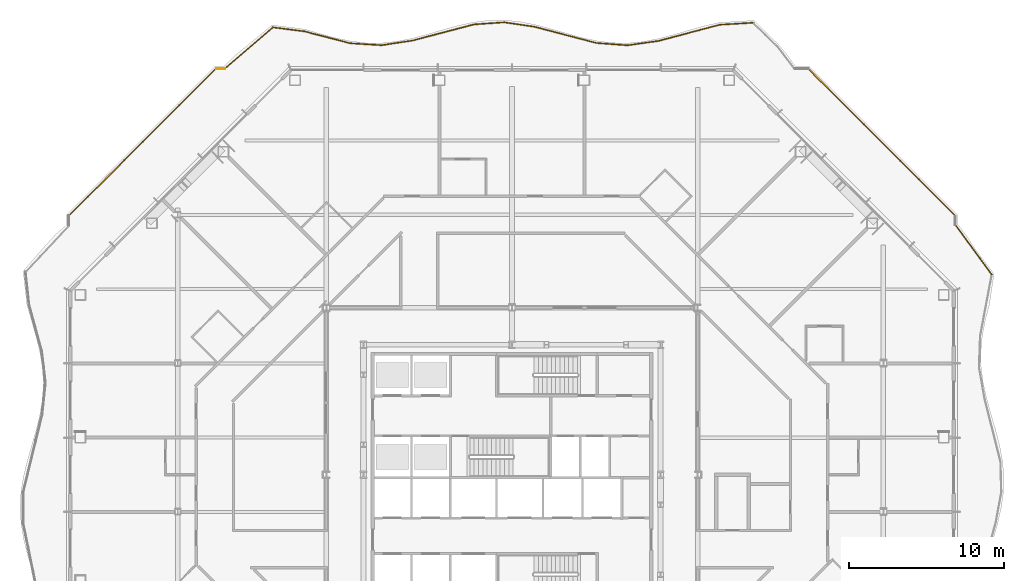
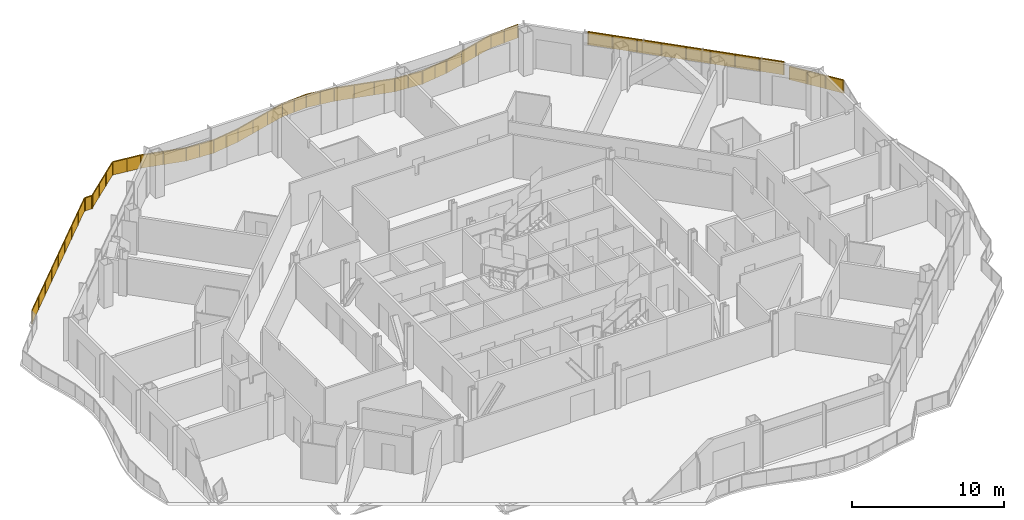
# One storey, part 22 of 24: 6 railings.
"""IFC4 building model written with IfcOpenShell, lengths in metres."""

from ifc_helpers import new_model, si_unit, direction, frame, origin, origin_2d, place, context, subcontext, project, spatial, polyline, rectangle, outline, extrude, material, type_object, element, save


model = new_model("IFC4")

# Units and contexts
model_context = context("Model", 3, precision=1e-05, world=origin(), true_north=direction((0.0, 1.0)))
body_context = subcontext(model_context, "Body", "Model", "MODEL_VIEW")
ifc_project = project(units=[si_unit("LENGTHUNIT", "METRE"), si_unit("AREAUNIT", "SQUARE_METRE"), si_unit("VOLUMEUNIT", "CUBIC_METRE"), si_unit("PLANEANGLEUNIT", "RADIAN"), si_unit("MASSUNIT", "GRAM", prefix="KILO")], contexts=[model_context])

# Site, building, storey
site_placement = place(None, origin())
site = spatial("IfcSite", under=ifc_project, at=site_placement, CompositionType="ELEMENT")
building_placement = place(site_placement, origin())
building = spatial("IfcBuilding", under=site, at=building_placement, Name="Cairn Pilgrim Tower", CompositionType="ELEMENT")
storey_placement = place(building_placement, frame((0.0, 0.0, 125.39990234375)))
storey = spatial("IfcBuildingStorey", under=building, at=storey_placement, Name="L30", CompositionType="ELEMENT", Elevation=125.39990234375)

# Railings
ifc_material = material(Name="Bronze anodised aluminium rail and posts with laminated glass infill", Category="aluminium")
railing_type = type_object("IfcRailingType", Name="BALCONY GUARD 1100", PredefinedType="GUARDRAIL", material=ifc_material)
railing_1_placement = place(storey_placement, frame((38.197509765625, 15.34033203125, 0.0)))
element("IfcRailing", 1, at=railing_1_placement, inside=storey, type_object=railing_type, Name="Balcony guard BG-7", PredefinedType="GUARDRAIL", context=body_context, shape_type="SweptSolid", body=[
    extrude(rectangle(XDim=0.050048828125, YDim=0.050048828125, at=origin_2d()), frame((0.0, 0.0, 1.0751953125), z_axis=(-0.590133763896, 0.807305481655, 0.0), x_axis=(-0.807305481655, -0.590133763896, 0.0)), (0.0, 0.0, 1.0), 3.917724609375),
    extrude(rectangle(XDim=0.050048828125, YDim=0.050048828125, at=origin_2d()), origin(), (0.0, 0.0, 1.0), 1.050048828125),
    extrude(rectangle(XDim=0.050048828125, YDim=0.050048828125, at=origin_2d()), frame((-0.770751953125, 1.05419921875, 0.0)), (0.0, 0.0, 1.0), 1.050048828125),
    extrude(rectangle(XDim=0.050048828125, YDim=0.050048828125, at=origin_2d()), frame((-1.541259765625, 2.108642578125, 0.0)), (0.0, 0.0, 1.0), 1.050048828125),
    extrude(rectangle(XDim=0.050048828125, YDim=0.050048828125, at=origin_2d()), frame((-2.31201171875, 3.162841796875, 0.0)), (0.0, 0.0, 1.0), 1.050048828125),
    extrude(outline(polyline([(0.02490234375, 0.0), (1.281005859375, 0.0), (1.281005859375, 1.050048828125), (0.02490234375, 1.050048828125), (0.02490234375, 0.0)])), frame((-0.0048828125, -0.00341796875, 0.0), z_axis=(0.807305481655, 0.590133763896, 0.0), x_axis=(-0.590133763896, 0.807305481655, 0.0)), (0.0, 0.0, 1.0), 0.011962890625),
    extrude(outline(polyline([(0.02490234375, 0.0), (1.281005859375, 0.0), (1.281005859375, 1.050048828125), (0.02490234375, 1.050048828125), (0.02490234375, 0.0)])), frame((-0.775390625, 1.05078125, 0.0), z_axis=(0.807305481655, 0.590133763896, 0.0), x_axis=(-0.590133763896, 0.807305481655, 0.0)), (0.0, 0.0, 1.0), 0.011962890625),
    extrude(outline(polyline([(0.02490234375, 0.0), (1.281005859375, 0.0), (1.281005859375, 1.050048828125), (0.02490234375, 1.050048828125), (0.02490234375, 0.0)])), frame((-1.546142578125, 2.10498046875, 0.0), z_axis=(0.807305481655, 0.590133763896, 0.0), x_axis=(-0.590133763896, 0.807305481655, 0.0)), (0.0, 0.0, 1.0), 0.011962890625),
])
railing_2_placement = place(storey_placement, frame((35.85009765625, 19.137939453125, 0.0)))
element("IfcRailing", 2, at=railing_2_placement, inside=storey, type_object=railing_type, Name="Balcony guard BG-9", PredefinedType="GUARDRAIL", context=body_context, shape_type="SweptSolid", body=[
    extrude(rectangle(XDim=0.050048828125, YDim=0.050048828125, at=origin_2d()), frame((0.0, 0.0, 1.0751953125), z_axis=(-0.707106781187, 0.707106781187, 0.0), x_axis=(-0.707106781187, -0.707106781187, 0.0)), (0.0, 0.0, 1.0), 13.392333984375),
    extrude(rectangle(XDim=0.050048828125, YDim=0.050048828125, at=origin_2d()), origin(), (0.0, 0.0, 1.0), 1.050048828125),
    extrude(rectangle(XDim=0.050048828125, YDim=0.050048828125, at=origin_2d()), frame((-1.18359375, 1.18359375, 0.0)), (0.0, 0.0, 1.0), 1.050048828125),
    extrude(rectangle(XDim=0.050048828125, YDim=0.050048828125, at=origin_2d()), frame((-2.367431640625, 2.367431640625, 0.0)), (0.0, 0.0, 1.0), 1.050048828125),
    extrude(rectangle(XDim=0.050048828125, YDim=0.050048828125, at=origin_2d()), frame((-3.55126953125, 3.55126953125, 0.0)), (0.0, 0.0, 1.0), 1.050048828125),
    extrude(rectangle(XDim=0.050048828125, YDim=0.050048828125, at=origin_2d()), frame((-4.73486328125, 4.73486328125, 0.0)), (0.0, 0.0, 1.0), 1.050048828125),
    extrude(rectangle(XDim=0.050048828125, YDim=0.050048828125, at=origin_2d()), frame((-5.91845703125, 5.91845703125, 0.0)), (0.0, 0.0, 1.0), 1.050048828125),
    extrude(rectangle(XDim=0.050048828125, YDim=0.050048828125, at=origin_2d()), frame((-7.102294921875, 7.102294921875, 0.0)), (0.0, 0.0, 1.0), 1.050048828125),
    extrude(rectangle(XDim=0.050048828125, YDim=0.050048828125, at=origin_2d()), frame((-8.2861328125, 8.2861328125, 0.0)), (0.0, 0.0, 1.0), 1.050048828125),
    extrude(rectangle(XDim=0.050048828125, YDim=0.050048828125, at=origin_2d()), frame((-9.4697265625, 9.4697265625, 0.0)), (0.0, 0.0, 1.0), 1.050048828125),
    extrude(outline(polyline([(0.02490234375, 0.0), (1.64892578125, 0.0), (1.64892578125, 1.050048828125), (0.02490234375, 1.050048828125), (0.02490234375, 0.0)])), frame((-0.004150390625, -0.004150390625, 0.0), z_axis=(0.707106781187, 0.707106781187, 0.0), x_axis=(-0.707106781187, 0.707106781187, 0.0)), (0.0, 0.0, 1.0), 0.011962890625),
    extrude(outline(polyline([(0.02490234375, 0.0), (1.64892578125, 0.0), (1.64892578125, 1.050048828125), (0.02490234375, 1.050048828125), (0.02490234375, 0.0)])), frame((-1.18798828125, 1.179443359375, 0.0), z_axis=(0.707106781187, 0.707106781187, 0.0), x_axis=(-0.707106781187, 0.707106781187, 0.0)), (0.0, 0.0, 1.0), 0.011962890625),
    extrude(outline(polyline([(0.02490234375, 0.0), (1.64892578125, 0.0), (1.64892578125, 1.050048828125), (0.02490234375, 1.050048828125), (0.02490234375, 0.0)])), frame((-2.37158203125, 2.36328125, 0.0), z_axis=(0.707106781187, 0.707106781187, 0.0), x_axis=(-0.707106781187, 0.707106781187, 0.0)), (0.0, 0.0, 1.0), 0.011962890625),
    extrude(outline(polyline([(0.02490234375, 0.0), (1.64892578125, 0.0), (1.64892578125, 1.050048828125), (0.02490234375, 1.050048828125), (0.02490234375, 0.0)])), frame((-3.555419921875, 3.546875, 0.0), z_axis=(0.707106781187, 0.707106781187, 0.0), x_axis=(-0.707106781187, 0.707106781187, 0.0)), (0.0, 0.0, 1.0), 0.011962890625),
    extrude(outline(polyline([(0.02490234375, 0.0), (1.64892578125, 0.0), (1.64892578125, 1.050048828125), (0.02490234375, 1.050048828125), (0.02490234375, 0.0)])), frame((-4.739013671875, 4.730712890625, 0.0), z_axis=(0.707106781187, 0.707106781187, 0.0), x_axis=(-0.707106781187, 0.707106781187, 0.0)), (0.0, 0.0, 1.0), 0.011962890625),
    extrude(outline(polyline([(0.02490234375, 0.0), (1.64892578125, 0.0), (1.64892578125, 1.050048828125), (0.02490234375, 1.050048828125), (0.02490234375, 0.0)])), frame((-5.9228515625, 5.914306640625, 0.0), z_axis=(0.707106781187, 0.707106781187, 0.0), x_axis=(-0.707106781187, 0.707106781187, 0.0)), (0.0, 0.0, 1.0), 0.011962890625),
    extrude(outline(polyline([(0.02490234375, 0.0), (1.64892578125, 0.0), (1.64892578125, 1.050048828125), (0.02490234375, 1.050048828125), (0.02490234375, 0.0)])), frame((-7.1064453125, 7.09814453125, 0.0), z_axis=(0.707106781187, 0.707106781187, 0.0), x_axis=(-0.707106781187, 0.707106781187, 0.0)), (0.0, 0.0, 1.0), 0.011962890625),
    extrude(outline(polyline([(0.02490234375, 0.0), (1.64892578125, 0.0), (1.64892578125, 1.050048828125), (0.02490234375, 1.050048828125), (0.02490234375, 0.0)])), frame((-8.290283203125, 8.28173828125, 0.0), z_axis=(0.707106781187, 0.707106781187, 0.0), x_axis=(-0.707106781187, 0.707106781187, 0.0)), (0.0, 0.0, 1.0), 0.011962890625),
])
railing_3_placement = place(storey_placement, frame((22.772705078125, 31.61572265625, 0.0)))
element("IfcRailing", 3, at=railing_3_placement, inside=storey, type_object=railing_type, Name="Balcony guard BG-12", PredefinedType="GUARDRAIL", context=body_context, shape_type="SweptSolid", body=[
    extrude(rectangle(XDim=0.050048828125, YDim=0.050048828125, at=origin_2d()), frame((0.0, 0.0, 1.0751953125), z_axis=(-0.99817328196, -0.060416050692, 0.0), x_axis=(0.060416050692, -0.99817328196, 0.0)), (0.0, 0.0, 1.0), 2.145751953125),
    extrude(rectangle(XDim=0.050048828125, YDim=0.050048828125, at=origin_2d()), frame((-2.141845703125, -0.129638671875, 1.0751953125), z_axis=(-0.966920951594, -0.255076210902, 0.0), x_axis=(0.255076210902, -0.966920951594, 0.0)), (0.0, 0.0, 1.0), 4.102294921875),
    extrude(rectangle(XDim=0.050048828125, YDim=0.050048828125, at=origin_2d()), frame((-6.1083984375, -1.176025390625, 1.0751953125), z_axis=(-0.990128996634, -0.140159088269, 0.0), x_axis=(0.140159088269, -0.990128996634, 0.0)), (0.0, 0.0, 1.0), 2.031005859375),
    extrude(rectangle(XDim=0.050048828125, YDim=0.050048828125, at=origin_2d()), frame((-8.119384765625, -1.460693359375, 1.0751953125), z_axis=(-0.997184430515, 0.074988075969, 0.0), x_axis=(-0.074988075969, -0.997184430515, 0.0)), (0.0, 0.0, 1.0), 2.021728515625),
    extrude(rectangle(XDim=0.050048828125, YDim=0.050048828125, at=origin_2d()), frame((-10.135498046875, -1.30908203125, 1.0751953125), z_axis=(-0.967094526018, 0.254417329887, 0.0), x_axis=(-0.254417329887, -0.967094526018, 0.0)), (0.0, 0.0, 1.0), 4.11279296875),
    extrude(rectangle(XDim=0.050048828125, YDim=0.050048828125, at=origin_2d()), frame((-14.113037109375, -0.2626953125, 1.0751953125), z_axis=(-0.989390387637, 0.145281316253, 0.0), x_axis=(-0.145281316253, -0.989390387637, 0.0)), (0.0, 0.0, 1.0), 1.98291015625),
    extrude(rectangle(XDim=0.050048828125, YDim=0.050048828125, at=origin_2d()), frame((-16.074951171875, 0.025390625, 1.0751953125), z_axis=(-0.997626495598, -0.068857645041, 0.0), x_axis=(0.068857645041, -0.997626495598, 0.0)), (0.0, 0.0, 1.0), 1.960693359375),
    extrude(rectangle(XDim=0.050048828125, YDim=0.050048828125, at=origin_2d()), frame((-18.031005859375, -0.109619140625, 1.0751953125), z_axis=(-0.967287049179, -0.253684379673, 0.0), x_axis=(0.253684379673, -0.967287049179, 0.0)), (0.0, 0.0, 1.0), 4.1005859375),
    extrude(rectangle(XDim=0.050048828125, YDim=0.050048828125, at=origin_2d()), frame((-21.99755859375, -1.14990234375, 1.0751953125), z_axis=(-0.988613400571, -0.150477719985, 0.0), x_axis=(0.150477719985, -0.988613400571, 0.0)), (0.0, 0.0, 1.0), 2.032958984375),
    extrude(rectangle(XDim=0.050048828125, YDim=0.050048828125, at=origin_2d()), frame((-24.00732421875, -1.455810546875, 1.0751953125), z_axis=(-0.998016684323, 0.062949962776, 0.0), x_axis=(-0.062949962776, -0.998016684323, 0.0)), (0.0, 0.0, 1.0), 2.0205078125),
    extrude(rectangle(XDim=0.050048828125, YDim=0.050048828125, at=origin_2d()), frame((-26.02392578125, -1.32861328125, 1.0751953125), z_axis=(-0.968130026635, 0.250448101466, 0.0), x_axis=(-0.250448101466, -0.968130026635, 0.0)), (0.0, 0.0, 1.0), 3.082275390625),
    extrude(rectangle(XDim=0.050048828125, YDim=0.050048828125, at=origin_2d()), frame((-29.008056640625, -0.556640625, 1.0751953125), z_axis=(-0.992006328004, 0.126188134146, 0.0), x_axis=(-0.126188134146, -0.992006328004, 0.0)), (0.0, 0.0, 1.0), 1.981201171875),
    extrude(rectangle(XDim=0.050048828125, YDim=0.050048828125, at=origin_2d()), origin(), (0.0, 0.0, 1.0), 1.050048828125),
    extrude(rectangle(XDim=0.050048828125, YDim=0.050048828125, at=origin_2d()), frame((-1.07080078125, -0.06494140625, 0.0)), (0.0, 0.0, 1.0), 1.050048828125),
    extrude(rectangle(XDim=0.050048828125, YDim=0.050048828125, at=origin_2d()), frame((-2.141845703125, -0.129638671875, 0.0)), (0.0, 0.0, 1.0), 1.050048828125),
    extrude(rectangle(XDim=0.050048828125, YDim=0.050048828125, at=origin_2d()), frame((-3.464111328125, -0.478515625, 0.0)), (0.0, 0.0, 1.0), 1.050048828125),
    extrude(rectangle(XDim=0.050048828125, YDim=0.050048828125, at=origin_2d()), frame((-4.7861328125, -0.8271484375, 0.0)), (0.0, 0.0, 1.0), 1.050048828125),
    extrude(rectangle(XDim=0.050048828125, YDim=0.050048828125, at=origin_2d()), frame((-6.1083984375, -1.176025390625, 0.0)), (0.0, 0.0, 1.0), 1.050048828125),
    extrude(rectangle(XDim=0.050048828125, YDim=0.050048828125, at=origin_2d()), frame((-7.11376953125, -1.318359375, 0.0)), (0.0, 0.0, 1.0), 1.050048828125),
    extrude(rectangle(XDim=0.050048828125, YDim=0.050048828125, at=origin_2d()), frame((-8.119384765625, -1.460693359375, 0.0)), (0.0, 0.0, 1.0), 1.050048828125),
    extrude(rectangle(XDim=0.050048828125, YDim=0.050048828125, at=origin_2d()), frame((-9.12744140625, -1.384765625, 0.0)), (0.0, 0.0, 1.0), 1.050048828125),
    extrude(rectangle(XDim=0.050048828125, YDim=0.050048828125, at=origin_2d()), frame((-10.135498046875, -1.30908203125, 0.0)), (0.0, 0.0, 1.0), 1.050048828125),
    extrude(rectangle(XDim=0.050048828125, YDim=0.050048828125, at=origin_2d()), frame((-11.46142578125, -0.960205078125, 0.0)), (0.0, 0.0, 1.0), 1.050048828125),
    extrude(rectangle(XDim=0.050048828125, YDim=0.050048828125, at=origin_2d()), frame((-12.787109375, -0.611572265625, 0.0)), (0.0, 0.0, 1.0), 1.050048828125),
    extrude(rectangle(XDim=0.050048828125, YDim=0.050048828125, at=origin_2d()), frame((-14.113037109375, -0.2626953125, 0.0)), (0.0, 0.0, 1.0), 1.050048828125),
    extrude(rectangle(XDim=0.050048828125, YDim=0.050048828125, at=origin_2d()), frame((-15.093994140625, -0.11865234375, 0.0)), (0.0, 0.0, 1.0), 1.050048828125),
    extrude(rectangle(XDim=0.050048828125, YDim=0.050048828125, at=origin_2d()), frame((-16.074951171875, 0.025390625, 0.0)), (0.0, 0.0, 1.0), 1.050048828125),
    extrude(rectangle(XDim=0.050048828125, YDim=0.050048828125, at=origin_2d()), frame((-17.052978515625, -0.0419921875, 0.0)), (0.0, 0.0, 1.0), 1.050048828125),
    extrude(rectangle(XDim=0.050048828125, YDim=0.050048828125, at=origin_2d()), frame((-18.031005859375, -0.109619140625, 0.0)), (0.0, 0.0, 1.0), 1.050048828125),
    extrude(rectangle(XDim=0.050048828125, YDim=0.050048828125, at=origin_2d()), frame((-19.353271484375, -0.456298828125, 0.0)), (0.0, 0.0, 1.0), 1.050048828125),
    extrude(rectangle(XDim=0.050048828125, YDim=0.050048828125, at=origin_2d()), frame((-20.67529296875, -0.80322265625, 0.0)), (0.0, 0.0, 1.0), 1.050048828125),
    extrude(rectangle(XDim=0.050048828125, YDim=0.050048828125, at=origin_2d()), frame((-21.99755859375, -1.14990234375, 0.0)), (0.0, 0.0, 1.0), 1.050048828125),
    extrude(rectangle(XDim=0.050048828125, YDim=0.050048828125, at=origin_2d()), frame((-23.00244140625, -1.302734375, 0.0)), (0.0, 0.0, 1.0), 1.050048828125),
    extrude(rectangle(XDim=0.050048828125, YDim=0.050048828125, at=origin_2d()), frame((-24.00732421875, -1.455810546875, 0.0)), (0.0, 0.0, 1.0), 1.050048828125),
    extrude(rectangle(XDim=0.050048828125, YDim=0.050048828125, at=origin_2d()), frame((-25.015625, -1.39208984375, 0.0)), (0.0, 0.0, 1.0), 1.050048828125),
    extrude(rectangle(XDim=0.050048828125, YDim=0.050048828125, at=origin_2d()), frame((-26.02392578125, -1.32861328125, 0.0)), (0.0, 0.0, 1.0), 1.050048828125),
    extrude(rectangle(XDim=0.050048828125, YDim=0.050048828125, at=origin_2d()), frame((-27.51611328125, -0.942626953125, 0.0)), (0.0, 0.0, 1.0), 1.050048828125),
    extrude(rectangle(XDim=0.050048828125, YDim=0.050048828125, at=origin_2d()), frame((-29.008056640625, -0.556640625, 0.0)), (0.0, 0.0, 1.0), 1.050048828125),
    extrude(rectangle(XDim=0.050048828125, YDim=0.050048828125, at=origin_2d()), frame((-29.99072265625, -0.431640625, 0.0)), (0.0, 0.0, 1.0), 1.050048828125),
    extrude(rectangle(XDim=0.050048828125, YDim=0.050048828125, at=origin_2d()), frame((-30.973388671875, -0.306640625, 0.0)), (0.0, 0.0, 1.0), 1.050048828125),
    extrude(outline(polyline([(0.02490234375, 0.0), (1.0478515625, 0.0), (1.0478515625, 1.050048828125), (0.02490234375, 1.050048828125), (0.02490234375, 0.0)])), frame((0.000244140625, -0.005859375, 0.0), z_axis=(-0.060416050692, 0.99817328196, 0.0), x_axis=(-0.99817328196, -0.060416050692, 0.0)), (0.0, 0.0, 1.0), 0.011962890625),
    extrude(outline(polyline([(0.02490234375, 0.0), (1.0478515625, 0.0), (1.0478515625, 1.050048828125), (0.02490234375, 1.050048828125), (0.02490234375, 0.0)])), frame((-1.070556640625, -0.07080078125, 0.0), z_axis=(-0.060416050692, 0.99817328196, 0.0), x_axis=(-0.99817328196, -0.060416050692, 0.0)), (0.0, 0.0, 1.0), 0.011962890625),
    extrude(outline(polyline([(0.02490234375, 0.0), (1.34228515625, 0.0), (1.34228515625, 1.050048828125), (0.02490234375, 1.050048828125), (0.02490234375, 0.0)])), frame((-2.140380859375, -0.135498046875, 0.0), z_axis=(-0.255076210902, 0.966920951594, 0.0), x_axis=(-0.966920951594, -0.255076210902, 0.0)), (0.0, 0.0, 1.0), 0.011962890625),
    extrude(outline(polyline([(0.02490234375, 0.0), (1.34228515625, 0.0), (1.34228515625, 1.050048828125), (0.02490234375, 1.050048828125), (0.02490234375, 0.0)])), frame((-3.46240234375, -0.484130859375, 0.0), z_axis=(-0.255076210902, 0.966920951594, 0.0), x_axis=(-0.966920951594, -0.255076210902, 0.0)), (0.0, 0.0, 1.0), 0.011962890625),
    extrude(outline(polyline([(0.02490234375, 0.0), (1.34228515625, 0.0), (1.34228515625, 1.050048828125), (0.02490234375, 1.050048828125), (0.02490234375, 0.0)])), frame((-4.78466796875, -0.8330078125, 0.0), z_axis=(-0.255076210902, 0.966920951594, 0.0), x_axis=(-0.966920951594, -0.255076210902, 0.0)), (0.0, 0.0, 1.0), 0.011962890625),
    extrude(outline(polyline([(0.02490234375, 0.0), (0.990478515625, 0.0), (0.990478515625, 1.050048828125), (0.02490234375, 1.050048828125), (0.02490234375, 0.0)])), frame((-6.107666015625, -1.181884765625, 0.0), z_axis=(-0.140159088269, 0.990128996634, 0.0), x_axis=(-0.990128996634, -0.140159088269, 0.0)), (0.0, 0.0, 1.0), 0.011962890625),
    extrude(outline(polyline([(0.02490234375, 0.0), (0.990478515625, 0.0), (0.990478515625, 1.050048828125), (0.02490234375, 1.050048828125), (0.02490234375, 0.0)])), frame((-7.113037109375, -1.32421875, 0.0), z_axis=(-0.140159088269, 0.990128996634, 0.0), x_axis=(-0.990128996634, -0.140159088269, 0.0)), (0.0, 0.0, 1.0), 0.011962890625),
    extrude(outline(polyline([(0.02490234375, 0.0), (0.98583984375, 0.0), (0.98583984375, 1.050048828125), (0.02490234375, 1.050048828125), (0.02490234375, 0.0)])), frame((-8.119873046875, -1.466552734375, 0.0), z_axis=(0.074988075969, 0.997184430515, 0.0), x_axis=(-0.997184430515, 0.074988075969, 0.0)), (0.0, 0.0, 1.0), 0.011962890625),
    extrude(outline(polyline([(0.02490234375, 0.0), (0.98583984375, 0.0), (0.98583984375, 1.050048828125), (0.02490234375, 1.050048828125), (0.02490234375, 0.0)])), frame((-9.1279296875, -1.390869140625, 0.0), z_axis=(0.074988075969, 0.997184430515, 0.0), x_axis=(-0.997184430515, 0.074988075969, 0.0)), (0.0, 0.0, 1.0), 0.011962890625),
    extrude(outline(polyline([(0.02490234375, 0.0), (1.345947265625, 0.0), (1.345947265625, 1.050048828125), (0.02490234375, 1.050048828125), (0.02490234375, 0.0)])), frame((-10.136962890625, -1.31494140625, 0.0), z_axis=(0.254417329887, 0.967094526018, 0.0), x_axis=(-0.967094526018, 0.254417329887, 0.0)), (0.0, 0.0, 1.0), 0.011962890625),
    extrude(outline(polyline([(0.02490234375, 0.0), (1.345947265625, 0.0), (1.345947265625, 1.050048828125), (0.02490234375, 1.050048828125), (0.02490234375, 0.0)])), frame((-11.462890625, -0.966064453125, 0.0), z_axis=(0.254417329887, 0.967094526018, 0.0), x_axis=(-0.967094526018, 0.254417329887, 0.0)), (0.0, 0.0, 1.0), 0.011962890625),
    extrude(outline(polyline([(0.02490234375, 0.0), (1.345947265625, 0.0), (1.345947265625, 1.050048828125), (0.02490234375, 1.050048828125), (0.02490234375, 0.0)])), frame((-12.788818359375, -0.6171875, 0.0), z_axis=(0.254417329887, 0.967094526018, 0.0), x_axis=(-0.967094526018, 0.254417329887, 0.0)), (0.0, 0.0, 1.0), 0.011962890625),
    extrude(outline(polyline([(0.02490234375, 0.0), (0.966552734375, 0.0), (0.966552734375, 1.050048828125), (0.02490234375, 1.050048828125), (0.02490234375, 0.0)])), frame((-14.114013671875, -0.2685546875, 0.0), z_axis=(0.145281316253, 0.989390387637, 0.0), x_axis=(-0.989390387637, 0.145281316253, 0.0)), (0.0, 0.0, 1.0), 0.011962890625),
    extrude(outline(polyline([(0.02490234375, 0.0), (0.966552734375, 0.0), (0.966552734375, 1.050048828125), (0.02490234375, 1.050048828125), (0.02490234375, 0.0)])), frame((-15.094970703125, -0.12451171875, 0.0), z_axis=(0.145281316253, 0.989390387637, 0.0), x_axis=(-0.989390387637, 0.145281316253, 0.0)), (0.0, 0.0, 1.0), 0.011962890625),
    extrude(outline(polyline([(0.02490234375, 0.0), (0.955322265625, 0.0), (0.955322265625, 1.050048828125), (0.02490234375, 1.050048828125), (0.02490234375, 0.0)])), frame((-16.074462890625, 0.01953125, 0.0), z_axis=(-0.068857645041, 0.997626495598, 0.0), x_axis=(-0.997626495598, -0.068857645041, 0.0)), (0.0, 0.0, 1.0), 0.011962890625),
    extrude(outline(polyline([(0.02490234375, 0.0), (0.955322265625, 0.0), (0.955322265625, 1.050048828125), (0.02490234375, 1.050048828125), (0.02490234375, 0.0)])), frame((-17.052490234375, -0.048095703125, 0.0), z_axis=(-0.068857645041, 0.997626495598, 0.0), x_axis=(-0.997626495598, -0.068857645041, 0.0)), (0.0, 0.0, 1.0), 0.011962890625),
    extrude(outline(polyline([(0.02490234375, 0.0), (1.341796875, 0.0), (1.341796875, 1.050048828125), (0.02490234375, 1.050048828125), (0.02490234375, 0.0)])), frame((-18.029541015625, -0.115478515625, 0.0), z_axis=(-0.253684379673, 0.967287049179, 0.0), x_axis=(-0.967287049179, -0.253684379673, 0.0)), (0.0, 0.0, 1.0), 0.011962890625),
    extrude(outline(polyline([(0.02490234375, 0.0), (1.341796875, 0.0), (1.341796875, 1.050048828125), (0.02490234375, 1.050048828125), (0.02490234375, 0.0)])), frame((-19.3515625, -0.462158203125, 0.0), z_axis=(-0.253684379673, 0.967287049179, 0.0), x_axis=(-0.967287049179, -0.253684379673, 0.0)), (0.0, 0.0, 1.0), 0.011962890625),
    extrude(outline(polyline([(0.02490234375, 0.0), (1.341796875, 0.0), (1.341796875, 1.050048828125), (0.02490234375, 1.050048828125), (0.02490234375, 0.0)])), frame((-20.673828125, -0.808837890625, 0.0), z_axis=(-0.253684379673, 0.967287049179, 0.0), x_axis=(-0.967287049179, -0.253684379673, 0.0)), (0.0, 0.0, 1.0), 0.011962890625),
    extrude(outline(polyline([(0.02490234375, 0.0), (0.991455078125, 0.0), (0.991455078125, 1.050048828125), (0.02490234375, 1.050048828125), (0.02490234375, 0.0)])), frame((-21.99658203125, -1.15576171875, 0.0), z_axis=(-0.150477719985, 0.988613400571, 0.0), x_axis=(-0.988613400571, -0.150477719985, 0.0)), (0.0, 0.0, 1.0), 0.011962890625),
    extrude(outline(polyline([(0.02490234375, 0.0), (0.991455078125, 0.0), (0.991455078125, 1.050048828125), (0.02490234375, 1.050048828125), (0.02490234375, 0.0)])), frame((-23.00146484375, -1.308837890625, 0.0), z_axis=(-0.150477719985, 0.988613400571, 0.0), x_axis=(-0.988613400571, -0.150477719985, 0.0)), (0.0, 0.0, 1.0), 0.011962890625),
    extrude(outline(polyline([(0.02490234375, 0.0), (0.9853515625, 0.0), (0.9853515625, 1.050048828125), (0.02490234375, 1.050048828125), (0.02490234375, 0.0)])), frame((-24.0078125, -1.461669921875, 0.0), z_axis=(0.062949962776, 0.998016684323, 0.0), x_axis=(-0.998016684323, 0.062949962776, 0.0)), (0.0, 0.0, 1.0), 0.011962890625),
    extrude(outline(polyline([(0.02490234375, 0.0), (0.9853515625, 0.0), (0.9853515625, 1.050048828125), (0.02490234375, 1.050048828125), (0.02490234375, 0.0)])), frame((-25.01611328125, -1.398193359375, 0.0), z_axis=(0.062949962776, 0.998016684323, 0.0), x_axis=(-0.998016684323, 0.062949962776, 0.0)), (0.0, 0.0, 1.0), 0.011962890625),
    extrude(outline(polyline([(0.02490234375, 0.0), (1.51611328125, 0.0), (1.51611328125, 1.050048828125), (0.02490234375, 1.050048828125), (0.02490234375, 0.0)])), frame((-26.025390625, -1.33447265625, 0.0), z_axis=(0.250448101466, 0.968130026635, 0.0), x_axis=(-0.968130026635, 0.250448101466, 0.0)), (0.0, 0.0, 1.0), 0.011962890625),
    extrude(outline(polyline([(0.02490234375, 0.0), (1.51611328125, 0.0), (1.51611328125, 1.050048828125), (0.02490234375, 1.050048828125), (0.02490234375, 0.0)])), frame((-27.517578125, -0.948486328125, 0.0), z_axis=(0.250448101466, 0.968130026635, 0.0), x_axis=(-0.968130026635, 0.250448101466, 0.0)), (0.0, 0.0, 1.0), 0.011962890625),
    extrude(outline(polyline([(0.02490234375, 0.0), (0.965576171875, 0.0), (0.965576171875, 1.050048828125), (0.02490234375, 1.050048828125), (0.02490234375, 0.0)])), frame((-29.0087890625, -0.5625, 0.0), z_axis=(0.126188134146, 0.992006328004, 0.0), x_axis=(-0.992006328004, 0.126188134146, 0.0)), (0.0, 0.0, 1.0), 0.011962890625),
    extrude(outline(polyline([(0.02490234375, 0.0), (0.965576171875, 0.0), (0.965576171875, 1.050048828125), (0.02490234375, 1.050048828125), (0.02490234375, 0.0)])), frame((-29.991455078125, -0.4375, 0.0), z_axis=(0.126188134146, 0.992006328004, 0.0), x_axis=(-0.992006328004, 0.126188134146, 0.0)), (0.0, 0.0, 1.0), 0.011962890625),
])
railing_4_placement = place(storey_placement, frame((-8.26025390625, 31.316650390625, 0.0)))
element("IfcRailing", 4, at=railing_4_placement, inside=storey, type_object=railing_type, Name="Balcony guard BG-13", PredefinedType="GUARDRAIL", context=body_context, shape_type="SweptSolid", body=[
    extrude(rectangle(XDim=0.050048828125, YDim=0.050048828125, at=origin_2d()), frame((0.0, 0.0, 1.0751953125), z_axis=(-0.758109102048, -0.652127740088, 0.0), x_axis=(0.652127740088, -0.758109102048, 0.0)), (0.0, 0.0, 1.0), 4.029052734375),
    extrude(rectangle(XDim=0.050048828125, YDim=0.050048828125, at=origin_2d()), origin(), (0.0, 0.0, 1.0), 1.050048828125),
    extrude(rectangle(XDim=0.050048828125, YDim=0.050048828125, at=origin_2d()), frame((-1.01806640625, -0.875732421875, 0.0)), (0.0, 0.0, 1.0), 1.050048828125),
    extrude(rectangle(XDim=0.050048828125, YDim=0.050048828125, at=origin_2d()), frame((-2.036376953125, -1.751708984375, 0.0)), (0.0, 0.0, 1.0), 1.050048828125),
    extrude(rectangle(XDim=0.050048828125, YDim=0.050048828125, at=origin_2d()), frame((-3.054443359375, -2.62744140625, 0.0)), (0.0, 0.0, 1.0), 1.050048828125),
    extrude(outline(polyline([(0.02490234375, 0.0), (1.31787109375, 0.0), (1.31787109375, 1.050048828125), (0.02490234375, 1.050048828125), (0.02490234375, 0.0)])), frame((0.00390625, -0.004638671875, 0.0), z_axis=(-0.652127740088, 0.758109102048, 0.0), x_axis=(-0.758109102048, -0.652127740088, 0.0)), (0.0, 0.0, 1.0), 0.011962890625),
    extrude(outline(polyline([(0.02490234375, 0.0), (1.31787109375, 0.0), (1.31787109375, 1.050048828125), (0.02490234375, 1.050048828125), (0.02490234375, 0.0)])), frame((-1.01416015625, -0.88037109375, 0.0), z_axis=(-0.652127740088, 0.758109102048, 0.0), x_axis=(-0.758109102048, -0.652127740088, 0.0)), (0.0, 0.0, 1.0), 0.011962890625),
    extrude(outline(polyline([(0.02490234375, 0.0), (1.31787109375, 0.0), (1.31787109375, 1.050048828125), (0.02490234375, 1.050048828125), (0.02490234375, 0.0)])), frame((-2.032470703125, -1.756103515625, 0.0), z_axis=(-0.652127740088, 0.758109102048, 0.0), x_axis=(-0.758109102048, -0.652127740088, 0.0)), (0.0, 0.0, 1.0), 0.011962890625),
])
railing_5_placement = place(storey_placement, frame((-11.360107421875, 28.64990234375, 0.0)))
element("IfcRailing", 5, at=railing_5_placement, inside=storey, type_object=railing_type, Name="Balcony guard BG-14", PredefinedType="GUARDRAIL", context=body_context, shape_type="SweptSolid", body=[
    extrude(rectangle(XDim=0.050048828125, YDim=0.050048828125, at=origin_2d()), frame((0.0, 0.0, 1.0751953125), z_axis=(-1.0, 0.0, 0.0), x_axis=(0.0, -1.0, 0.0)), (0.0, 0.0, 1.0), 0.517822265625),
    extrude(rectangle(XDim=0.050048828125, YDim=0.050048828125, at=origin_2d()), origin(), (0.0, 0.0, 1.0), 1.050048828125),
    extrude(rectangle(XDim=0.050048828125, YDim=0.050048828125, at=origin_2d()), frame((-0.517822265625, 0.0, 0.0)), (0.0, 0.0, 1.0), 1.050048828125),
    extrude(outline(polyline([(0.02490234375, 0.0), (0.49267578125, 0.0), (0.49267578125, 1.050048828125), (0.02490234375, 1.050048828125), (0.02490234375, 0.0)])), frame((0.0, -0.005859375, 0.0), z_axis=(0.0, 1.0, 0.0), x_axis=(-1.0, 0.0, 0.0)), (0.0, 0.0, 1.0), 0.011962890625),
])
railing_6_placement = place(storey_placement, frame((-11.93798828125, 28.64990234375, 0.0)))
element("IfcRailing", 6, at=railing_6_placement, inside=storey, type_object=railing_type, Name="Balcony guard BG-15", PredefinedType="GUARDRAIL", context=body_context, shape_type="SweptSolid", body=[
    extrude(rectangle(XDim=0.050048828125, YDim=0.050048828125, at=origin_2d()), frame((0.0, 0.0, 1.0751953125), z_axis=(-0.70709766599, -0.707115896265, 0.0), x_axis=(0.707115896265, -0.70709766599, 0.0)), (0.0, 0.0, 1.0), 13.39208984375),
    extrude(rectangle(XDim=0.050048828125, YDim=0.050048828125, at=origin_2d()), origin(), (0.0, 0.0, 1.0), 1.050048828125),
    extrude(rectangle(XDim=0.050048828125, YDim=0.050048828125, at=origin_2d()), frame((-1.18359375, -1.18359375, 0.0)), (0.0, 0.0, 1.0), 1.050048828125),
    extrude(rectangle(XDim=0.050048828125, YDim=0.050048828125, at=origin_2d()), frame((-2.367431640625, -2.367431640625, 0.0)), (0.0, 0.0, 1.0), 1.050048828125),
    extrude(rectangle(XDim=0.050048828125, YDim=0.050048828125, at=origin_2d()), frame((-3.551025390625, -3.55126953125, 0.0)), (0.0, 0.0, 1.0), 1.050048828125),
    extrude(rectangle(XDim=0.050048828125, YDim=0.050048828125, at=origin_2d()), frame((-4.73486328125, -4.73486328125, 0.0)), (0.0, 0.0, 1.0), 1.050048828125),
    extrude(rectangle(XDim=0.050048828125, YDim=0.050048828125, at=origin_2d()), frame((-5.91845703125, -5.91845703125, 0.0)), (0.0, 0.0, 1.0), 1.050048828125),
    extrude(rectangle(XDim=0.050048828125, YDim=0.050048828125, at=origin_2d()), frame((-7.10205078125, -7.102294921875, 0.0)), (0.0, 0.0, 1.0), 1.050048828125),
    extrude(rectangle(XDim=0.050048828125, YDim=0.050048828125, at=origin_2d()), frame((-8.285888671875, -8.2861328125, 0.0)), (0.0, 0.0, 1.0), 1.050048828125),
    extrude(rectangle(XDim=0.050048828125, YDim=0.050048828125, at=origin_2d()), frame((-9.469482421875, -9.4697265625, 0.0)), (0.0, 0.0, 1.0), 1.050048828125),
    extrude(outline(polyline([(0.02490234375, 0.0), (1.64892578125, 0.0), (1.64892578125, 1.050048828125), (0.02490234375, 1.050048828125), (0.02490234375, 0.0)])), frame((0.004150390625, -0.004150390625, 0.0), z_axis=(-0.707115896265, 0.70709766599, 0.0), x_axis=(-0.70709766599, -0.707115896265, 0.0)), (0.0, 0.0, 1.0), 0.011962890625),
    extrude(outline(polyline([(0.02490234375, 0.0), (1.64892578125, 0.0), (1.64892578125, 1.050048828125), (0.02490234375, 1.050048828125), (0.02490234375, 0.0)])), frame((-1.179443359375, -1.18798828125, 0.0), z_axis=(-0.707115896265, 0.70709766599, 0.0), x_axis=(-0.70709766599, -0.707115896265, 0.0)), (0.0, 0.0, 1.0), 0.011962890625),
    extrude(outline(polyline([(0.02490234375, 0.0), (1.64892578125, 0.0), (1.64892578125, 1.050048828125), (0.02490234375, 1.050048828125), (0.02490234375, 0.0)])), frame((-2.363037109375, -2.37158203125, 0.0), z_axis=(-0.707115896265, 0.70709766599, 0.0), x_axis=(-0.70709766599, -0.707115896265, 0.0)), (0.0, 0.0, 1.0), 0.011962890625),
    extrude(outline(polyline([(0.02490234375, 0.0), (1.64892578125, 0.0), (1.64892578125, 1.050048828125), (0.02490234375, 1.050048828125), (0.02490234375, 0.0)])), frame((-3.546875, -3.555419921875, 0.0), z_axis=(-0.707115896265, 0.70709766599, 0.0), x_axis=(-0.70709766599, -0.707115896265, 0.0)), (0.0, 0.0, 1.0), 0.011962890625),
    extrude(outline(polyline([(0.02490234375, 0.0), (1.64892578125, 0.0), (1.64892578125, 1.050048828125), (0.02490234375, 1.050048828125), (0.02490234375, 0.0)])), frame((-4.73046875, -4.739013671875, 0.0), z_axis=(-0.707115896265, 0.70709766599, 0.0), x_axis=(-0.70709766599, -0.707115896265, 0.0)), (0.0, 0.0, 1.0), 0.011962890625),
    extrude(outline(polyline([(0.02490234375, 0.0), (1.64892578125, 0.0), (1.64892578125, 1.050048828125), (0.02490234375, 1.050048828125), (0.02490234375, 0.0)])), frame((-5.914306640625, -5.9228515625, 0.0), z_axis=(-0.707115896265, 0.70709766599, 0.0), x_axis=(-0.70709766599, -0.707115896265, 0.0)), (0.0, 0.0, 1.0), 0.011962890625),
    extrude(outline(polyline([(0.02490234375, 0.0), (1.64892578125, 0.0), (1.64892578125, 1.050048828125), (0.02490234375, 1.050048828125), (0.02490234375, 0.0)])), frame((-7.097900390625, -7.1064453125, 0.0), z_axis=(-0.707115896265, 0.70709766599, 0.0), x_axis=(-0.70709766599, -0.707115896265, 0.0)), (0.0, 0.0, 1.0), 0.011962890625),
    extrude(outline(polyline([(0.02490234375, 0.0), (1.64892578125, 0.0), (1.64892578125, 1.050048828125), (0.02490234375, 1.050048828125), (0.02490234375, 0.0)])), frame((-8.281494140625, -8.290283203125, 0.0), z_axis=(-0.707115896265, 0.70709766599, 0.0), x_axis=(-0.70709766599, -0.707115896265, 0.0)), (0.0, 0.0, 1.0), 0.011962890625),
])

save(model, "model.ifc")
